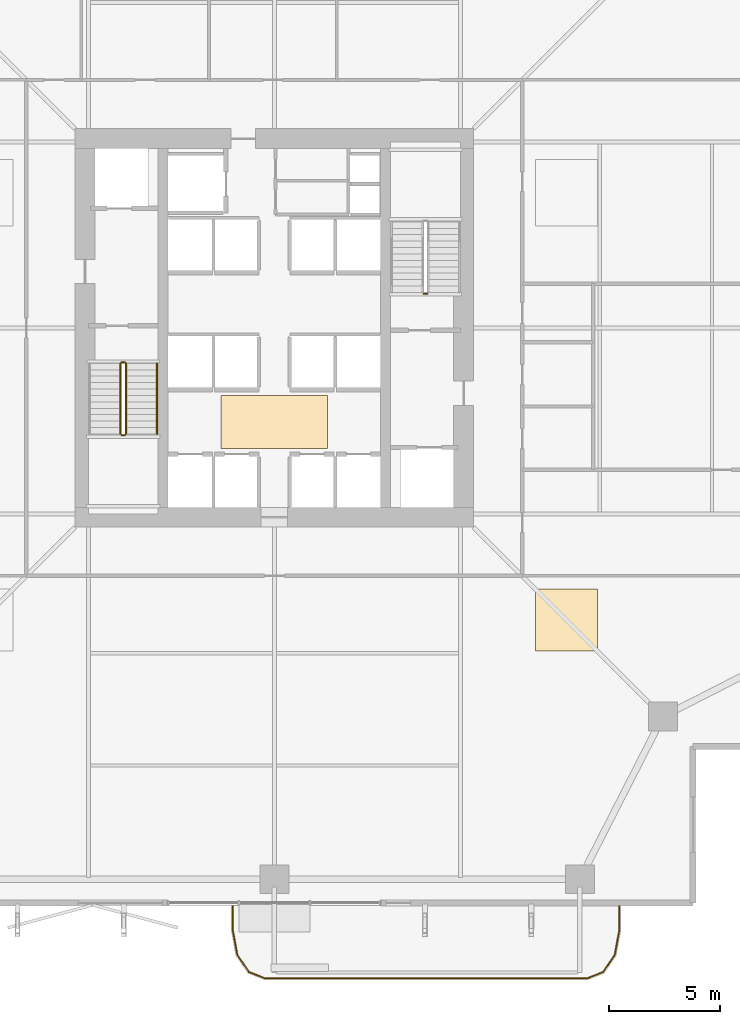
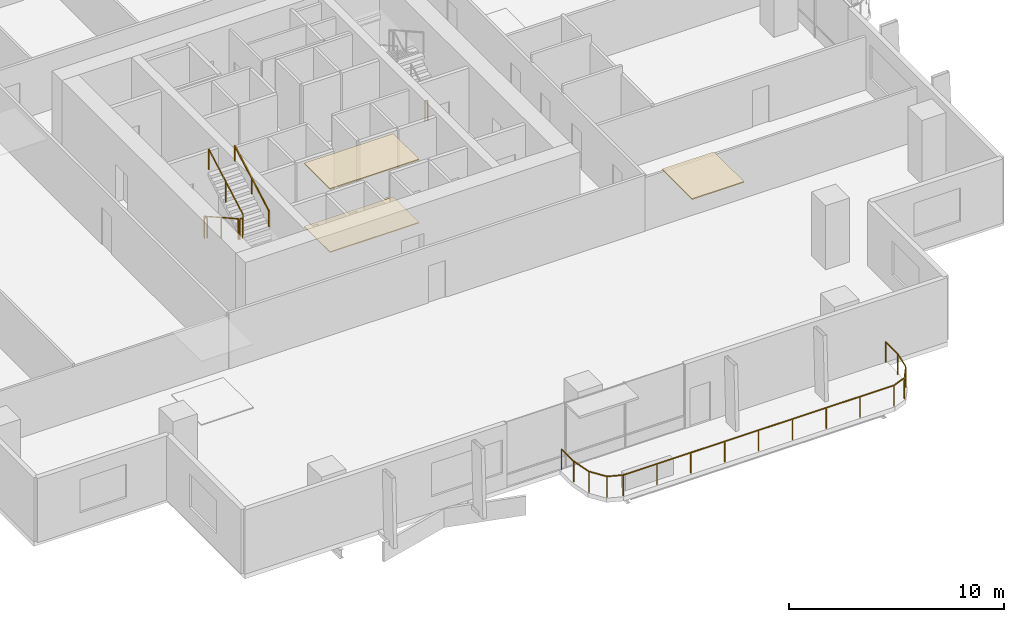
# One storey, part 22 of 24: 7 railings, 3 coverings.
"""IFC4 building model written with IfcOpenShell, lengths in metres."""

from ifc_helpers import new_model, si_unit, direction, frame, origin, origin_2d, place, context, subcontext, project, spatial, polyline, rectangle, outline, extrude, material, layer, layer_set, type_object, element, save


model = new_model("IFC4")

# Units and contexts
model_context = context("Model", 3, precision=1e-05, world=origin(), true_north=direction((0.0, 1.0)))
body_context = subcontext(model_context, "Body", "Model", "MODEL_VIEW")
ifc_project = project(units=[si_unit("LENGTHUNIT", "METRE"), si_unit("AREAUNIT", "SQUARE_METRE"), si_unit("VOLUMEUNIT", "CUBIC_METRE"), si_unit("PLANEANGLEUNIT", "RADIAN"), si_unit("MASSUNIT", "GRAM", prefix="KILO")], contexts=[model_context])

# Site, building, storey
site_placement = place(None, origin())
site = spatial("IfcSite", under=ifc_project, at=site_placement, CompositionType="ELEMENT")
building_placement = place(site_placement, origin())
building = spatial("IfcBuilding", under=site, at=building_placement, Name="Belovzor Exchange Tower", CompositionType="ELEMENT")
storey_placement = place(building_placement, frame((0.0, 0.0, 117.300048828125)))
storey = spatial("IfcBuildingStorey", under=building, at=storey_placement, Name="L28", CompositionType="ELEMENT", Elevation=117.300048828125)

# Railings
ifc_material_1 = material(Name="Stainless Steel Grade 304", Category="steel")
railing_type_1 = type_object("IfcRailingType", Name="Brushed Stainless Steel Stair Handrail 900", PredefinedType="HANDRAIL", material=ifc_material_1)
railing_1_placement = place(storey_placement, frame((23.5, 24.010009765625, 2.112548828125)))
element("IfcRailing", 1, at=railing_1_placement, inside=storey, type_object=railing_type_1, Name="L28 ST-1 stair handrail 2", PredefinedType="HANDRAIL", context=body_context, shape_type="SweptSolid", body=[
    extrude(rectangle(XDim=0.048095703125, YDim=0.048095703125, at=origin_2d()), frame((0.0, 0.0, 0.8759765625), z_axis=(0.0, 0.872390997893, 0.488808701636), x_axis=(-1.0, 0.0, 0.0)), (0.0, 0.0, 1.0), 3.656494140625),
    extrude(rectangle(XDim=0.0419921875, YDim=0.0419921875, at=origin_2d()), origin(), (0.0, 0.0, 1.0), 0.851806640625),
    extrude(rectangle(XDim=0.0419921875, YDim=0.0419921875, at=origin_2d()), frame((0.0, 1.594970703125, 0.8935546875)), (0.0, 0.0, 1.0), 0.851806640625),
    extrude(rectangle(XDim=0.0419921875, YDim=0.0419921875, at=origin_2d()), frame((0.0, 3.18994140625, 1.787353515625)), (0.0, 0.0, 1.0), 0.851806640625),
])
ifc_material_2 = material(Name="Stainless Steel and Laminated Safety Glass", Category="steel")
railing_type_2 = type_object("IfcRailingType", Name="Laminated Glass & Stainless Steel Balcony Balustrade 1200", PredefinedType="BALUSTRADE", material=ifc_material_2)
railing_2_placement = place(storey_placement, frame((26.929931640625, 2.68994140625, 0.0)))
element("IfcRailing", 2, at=railing_2_placement, inside=storey, type_object=railing_type_2, Name="GR-1 Balcony Balustrade L28 South", PredefinedType="BALUSTRADE", context=body_context, shape_type="SweptSolid", body=[
    extrude(rectangle(XDim=0.048095703125, YDim=0.048095703125, at=origin_2d()), frame((0.0, 0.0, 1.17578125), z_axis=(0.0, -1.0, 0.0), x_axis=(1.0, 0.0, 0.0)), (0.0, 0.0, 1.0), 1.133056640625),
    extrude(rectangle(XDim=0.048095703125, YDim=0.048095703125, at=origin_2d()), frame((0.0, -1.133056640625, 1.17578125), z_axis=(0.180122719713, -0.983644145941, 0.0), x_axis=(0.983644145941, 0.180122719713, 0.0)), (0.0, 0.0, 1.0), 1.09375),
    extrude(rectangle(XDim=0.048095703125, YDim=0.048095703125, at=origin_2d()), frame((0.197021484375, -2.208984375, 1.17578125), z_axis=(0.56294695933, -0.826493025367, 0.0), x_axis=(0.826493025367, 0.56294695933, 0.0)), (0.0, 0.0, 1.0), 0.932861328125),
    extrude(rectangle(XDim=0.048095703125, YDim=0.048095703125, at=origin_2d()), frame((0.72216796875, -2.97998046875, 1.17578125), z_axis=(0.930766990125, -0.365612923861, 0.0), x_axis=(0.365612923861, 0.930766990125, 0.0)), (0.0, 0.0, 1.0), 0.765869140625),
    extrude(rectangle(XDim=0.048095703125, YDim=0.048095703125, at=origin_2d()), frame((1.43505859375, -3.260009765625, 1.17578125), z_axis=(1.0, 0.0, 0.0), x_axis=(0.0, 1.0, 0.0)), (0.0, 0.0, 1.0), 14.570068359375),
    extrude(rectangle(XDim=0.048095703125, YDim=0.048095703125, at=origin_2d()), frame((16.005126953125, -3.260009765625, 1.17578125), z_axis=(0.930766990125, 0.365612923861, 0.0), x_axis=(-0.365612923861, 0.930766990125, 0.0)), (0.0, 0.0, 1.0), 0.765869140625),
    extrude(rectangle(XDim=0.048095703125, YDim=0.048095703125, at=origin_2d()), frame((16.718017578125, -2.97998046875, 1.17578125), z_axis=(0.56294695933, 0.826493025367, 0.0), x_axis=(-0.826493025367, 0.56294695933, 0.0)), (0.0, 0.0, 1.0), 0.932861328125),
    extrude(rectangle(XDim=0.048095703125, YDim=0.048095703125, at=origin_2d()), frame((17.2431640625, -2.208984375, 1.17578125), z_axis=(0.180122719713, 0.983644145941, 0.0), x_axis=(-0.983644145941, 0.180122719713, 0.0)), (0.0, 0.0, 1.0), 1.09375),
    extrude(rectangle(XDim=0.048095703125, YDim=0.048095703125, at=origin_2d()), frame((17.440185546875, -1.133056640625, 1.17578125), z_axis=(0.0, 1.0, 0.0), x_axis=(-1.0, 0.0, 0.0)), (0.0, 0.0, 1.0), 1.133056640625),
    extrude(rectangle(XDim=0.0419921875, YDim=0.0419921875, at=origin_2d()), origin(), (0.0, 0.0, 1.0), 1.15185546875),
    extrude(rectangle(XDim=0.0419921875, YDim=0.0419921875, at=origin_2d()), frame((0.0, -1.133056640625, 0.0)), (0.0, 0.0, 1.0), 1.15185546875),
    extrude(rectangle(XDim=0.0419921875, YDim=0.0419921875, at=origin_2d()), frame((0.197021484375, -2.208984375, 0.0)), (0.0, 0.0, 1.0), 1.15185546875),
    extrude(rectangle(XDim=0.0419921875, YDim=0.0419921875, at=origin_2d()), frame((0.72216796875, -2.97998046875, 0.0)), (0.0, 0.0, 1.0), 1.15185546875),
    extrude(rectangle(XDim=0.0419921875, YDim=0.0419921875, at=origin_2d()), frame((1.43505859375, -3.260009765625, 0.0)), (0.0, 0.0, 1.0), 1.15185546875),
    extrude(rectangle(XDim=0.0419921875, YDim=0.0419921875, at=origin_2d()), frame((3.25634765625, -3.260009765625, 0.0)), (0.0, 0.0, 1.0), 1.15185546875),
    extrude(rectangle(XDim=0.0419921875, YDim=0.0419921875, at=origin_2d()), frame((5.07763671875, -3.260009765625, 0.0)), (0.0, 0.0, 1.0), 1.15185546875),
    extrude(rectangle(XDim=0.0419921875, YDim=0.0419921875, at=origin_2d()), frame((6.89892578125, -3.260009765625, 0.0)), (0.0, 0.0, 1.0), 1.15185546875),
    extrude(rectangle(XDim=0.0419921875, YDim=0.0419921875, at=origin_2d()), frame((8.72021484375, -3.260009765625, 0.0)), (0.0, 0.0, 1.0), 1.15185546875),
    extrude(rectangle(XDim=0.0419921875, YDim=0.0419921875, at=origin_2d()), frame((10.541259765625, -3.260009765625, 0.0)), (0.0, 0.0, 1.0), 1.15185546875),
    extrude(rectangle(XDim=0.0419921875, YDim=0.0419921875, at=origin_2d()), frame((12.362548828125, -3.260009765625, 0.0)), (0.0, 0.0, 1.0), 1.15185546875),
    extrude(rectangle(XDim=0.0419921875, YDim=0.0419921875, at=origin_2d()), frame((14.183837890625, -3.260009765625, 0.0)), (0.0, 0.0, 1.0), 1.15185546875),
    extrude(rectangle(XDim=0.0419921875, YDim=0.0419921875, at=origin_2d()), frame((16.005126953125, -3.260009765625, 0.0)), (0.0, 0.0, 1.0), 1.15185546875),
    extrude(rectangle(XDim=0.0419921875, YDim=0.0419921875, at=origin_2d()), frame((16.718017578125, -2.97998046875, 0.0)), (0.0, 0.0, 1.0), 1.15185546875),
    extrude(rectangle(XDim=0.0419921875, YDim=0.0419921875, at=origin_2d()), frame((17.2431640625, -2.208984375, 0.0)), (0.0, 0.0, 1.0), 1.15185546875),
    extrude(rectangle(XDim=0.0419921875, YDim=0.0419921875, at=origin_2d()), frame((17.440185546875, -1.133056640625, 0.0)), (0.0, 0.0, 1.0), 1.15185546875),
    extrude(rectangle(XDim=0.0419921875, YDim=0.0419921875, at=origin_2d()), frame((17.440185546875, 0.0, 0.0)), (0.0, 0.0, 1.0), 1.15185546875),
])
ifc_material_3 = material(Name="Steel S355", Category="steel")
railing_type_3 = type_object("IfcRailingType", Name="Painted Steel Stairwell Guardrail 1200", PredefinedType="GUARDRAIL", material=ifc_material_3)
railing_3_placement = place(storey_placement, frame((21.85009765625, 27.199951171875, 0.162353515625)))
element("IfcRailing", 3, at=railing_3_placement, inside=storey, type_object=railing_type_3, Name="L28 ST-1 stair guard 1", PredefinedType="GUARDRAIL", context=body_context, shape_type="SweptSolid", body=[
    extrude(rectangle(XDim=0.048095703125, YDim=0.048095703125, at=origin_2d()), frame((0.0, 0.0, 1.17578125), z_axis=(0.0, -0.8723625253, 0.488859514025), x_axis=(1.0, 0.0, 0.0)), (0.0, 0.0, 1.0), 3.65673828125),
    extrude(rectangle(XDim=0.0419921875, YDim=0.0419921875, at=origin_2d()), origin(), (0.0, 0.0, 1.0), 1.15185546875),
    extrude(rectangle(XDim=0.0419921875, YDim=0.0419921875, at=origin_2d()), frame((0.0, -1.594970703125, 0.893798828125)), (0.0, 0.0, 1.0), 1.15185546875),
    extrude(rectangle(XDim=0.0419921875, YDim=0.0419921875, at=origin_2d()), frame((0.0, -3.18994140625, 1.78759765625)), (0.0, 0.0, 1.0), 1.15185546875),
])
railing_4_placement = place(storey_placement, frame((21.89990234375, 23.9599609375, 1.949951171875)))
element("IfcRailing", 4, at=railing_4_placement, inside=storey, type_object=railing_type_3, Name="L28 ST-1 stair guard 2", PredefinedType="GUARDRAIL", context=body_context, shape_type="SweptSolid", body=[
    extrude(rectangle(XDim=0.048095703125, YDim=0.048095703125, at=origin_2d()), frame((0.0, 0.0, 1.17578125), z_axis=(1.0, 0.0, 0.0), x_axis=(0.0, 1.0, 0.0)), (0.0, 0.0, 1.0), 0.150146484375),
    extrude(rectangle(XDim=0.0419921875, YDim=0.0419921875, at=origin_2d()), origin(), (0.0, 0.0, 1.0), 1.15185546875),
    extrude(rectangle(XDim=0.0419921875, YDim=0.0419921875, at=origin_2d()), frame((0.150146484375, 0.0, 0.0)), (0.0, 0.0, 1.0), 1.15185546875),
])
railing_5_placement = place(storey_placement, frame((22.10009765625, 24.010009765625, 2.112548828125)))
element("IfcRailing", 5, at=railing_5_placement, inside=storey, type_object=railing_type_3, Name="L28 ST-1 stair guard 3", PredefinedType="GUARDRAIL", context=body_context, shape_type="SweptSolid", body=[
    extrude(rectangle(XDim=0.048095703125, YDim=0.048095703125, at=origin_2d()), frame((0.0, 0.0, 1.17578125), z_axis=(0.0, 0.872390997893, 0.488808701636), x_axis=(-1.0, 0.0, 0.0)), (0.0, 0.0, 1.0), 3.656494140625),
    extrude(rectangle(XDim=0.0419921875, YDim=0.0419921875, at=origin_2d()), origin(), (0.0, 0.0, 1.0), 1.15185546875),
    extrude(rectangle(XDim=0.0419921875, YDim=0.0419921875, at=origin_2d()), frame((0.0, 1.594970703125, 0.8935546875)), (0.0, 0.0, 1.0), 1.15185546875),
    extrude(rectangle(XDim=0.0419921875, YDim=0.0419921875, at=origin_2d()), frame((0.0, 3.18994140625, 1.787353515625)), (0.0, 0.0, 1.0), 1.15185546875),
])
railing_6_placement = place(storey_placement, frame((21.89990234375, 27.25, 0.0)))
element("IfcRailing", 6, at=railing_6_placement, inside=storey, type_object=railing_type_3, Name="L28 ST-1 stair guard 4", PredefinedType="GUARDRAIL", context=body_context, shape_type="SweptSolid", body=[
    extrude(rectangle(XDim=0.048095703125, YDim=0.048095703125, at=origin_2d()), frame((0.0, 0.0, 1.17578125), z_axis=(1.0, 0.0, 0.0), x_axis=(0.0, 1.0, 0.0)), (0.0, 0.0, 1.0), 0.150146484375),
    extrude(rectangle(XDim=0.0419921875, YDim=0.0419921875, at=origin_2d()), origin(), (0.0, 0.0, 1.0), 1.15185546875),
    extrude(rectangle(XDim=0.0419921875, YDim=0.0419921875, at=origin_2d()), frame((0.150146484375, 0.0, 0.0)), (0.0, 0.0, 1.0), 1.15185546875),
])
railing_7_placement = place(storey_placement, frame((35.699951171875, 30.35009765625, 0.0)))
element("IfcRailing", 7, at=railing_7_placement, inside=storey, type_object=railing_type_3, Name="L28 ST-2 stair guard 4", PredefinedType="GUARDRAIL", context=body_context, shape_type="SweptSolid", body=[
    extrude(rectangle(XDim=0.048095703125, YDim=0.048095703125, at=origin_2d()), frame((0.0, 0.0, 1.17578125), z_axis=(-1.0, 0.0, 0.0), x_axis=(0.0, -1.0, 0.0)), (0.0, 0.0, 1.0), 0.14990234375),
    extrude(rectangle(XDim=0.0419921875, YDim=0.0419921875, at=origin_2d()), origin(), (0.0, 0.0, 1.0), 1.15185546875),
    extrude(rectangle(XDim=0.0419921875, YDim=0.0419921875, at=origin_2d()), frame((-0.14990234375, 0.0, 0.0)), (0.0, 0.0, 1.0), 1.15185546875),
])

# Coverings
ifc_material_4 = material(Name="Perforated Powder-Coated Aluminium", Category="aluminium")
ifc_layer_1 = layer(ifc_material_4, 0.06005859375)
ifc_layer_set_1 = layer_set([ifc_layer_1], Name="Perforated Powder-Coated Aluminium")
covering_type_1 = type_object("IfcCoveringType", Name="Perforated Acoustic Metal Tile Suspended Ceiling 60", PredefinedType="CEILING", material=ifc_layer_set_1)
covering_1_placement = place(storey_placement, frame((0.0, 0.0, 3.58984375)))
element("IfcCovering", 8, at=covering_1_placement, inside=storey, type_object=covering_type_1, Name="CLG-AC60 Suspended Ceiling CLG-L28-LOB", PredefinedType="CEILING", context=body_context, shape_type="SweptSolid", body=[
    extrude(outline(polyline([(26.39990234375, 23.35009765625), (31.199951171875, 23.35009765625), (31.199951171875, 25.75), (26.39990234375, 25.75), (26.39990234375, 23.35009765625)])), origin(), (0.0, 0.0, 1.0), 0.06005859375),
])
covering_2_placement = place(storey_placement, frame((0.0, 0.0, 3.58984375)))
element("IfcCovering", 9, at=covering_2_placement, inside=storey, type_object=covering_type_1, Name="CLG-AC60 Suspended Ceiling CLG-L28-Z1", PredefinedType="CEILING", context=body_context, shape_type="SweptSolid", body=[
    extrude(outline(polyline([(40.60009765625, 14.199951171875), (43.39990234375, 14.199951171875), (43.39990234375, 17.0), (40.60009765625, 17.0), (40.60009765625, 14.199951171875)])), origin(), (0.0, 0.0, 1.0), 0.06005859375),
])
ifc_material_5 = material(Name="Polished Natural Granite Tile", Category="masonry")
ifc_layer_2 = layer(ifc_material_5, 0.050048828125)
ifc_layer_set_2 = layer_set([ifc_layer_2], Name="Polished Natural Granite Tile")
covering_type_2 = type_object("IfcCoveringType", Name="Polished Karelian Granite & Raised Access Floor Finish 50", PredefinedType="FLOORING", material=ifc_layer_set_2)
covering_3_placement = place(storey_placement, origin())
element("IfcCovering", 10, at=covering_3_placement, inside=storey, type_object=covering_type_2, Name="FLR-GR50 Floor Finish FLR-L28-LOB", PredefinedType="FLOORING", context=body_context, shape_type="SweptSolid", body=[
    extrude(outline(polyline([(26.39990234375, 23.35009765625), (31.199951171875, 23.35009765625), (31.199951171875, 25.75), (26.39990234375, 25.75), (26.39990234375, 23.35009765625)])), origin(), (0.0, 0.0, 1.0), 0.050048828125),
])

save(model, "model.ifc")
